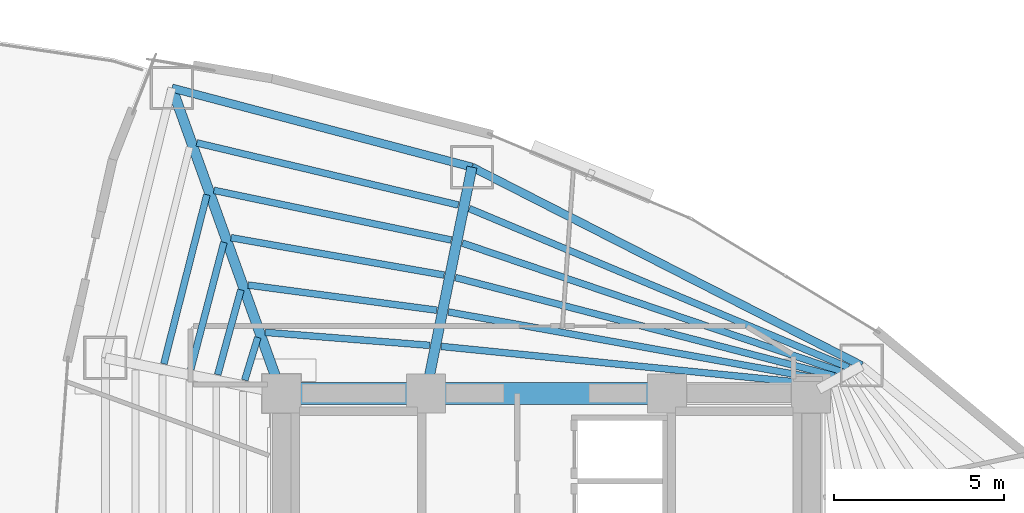
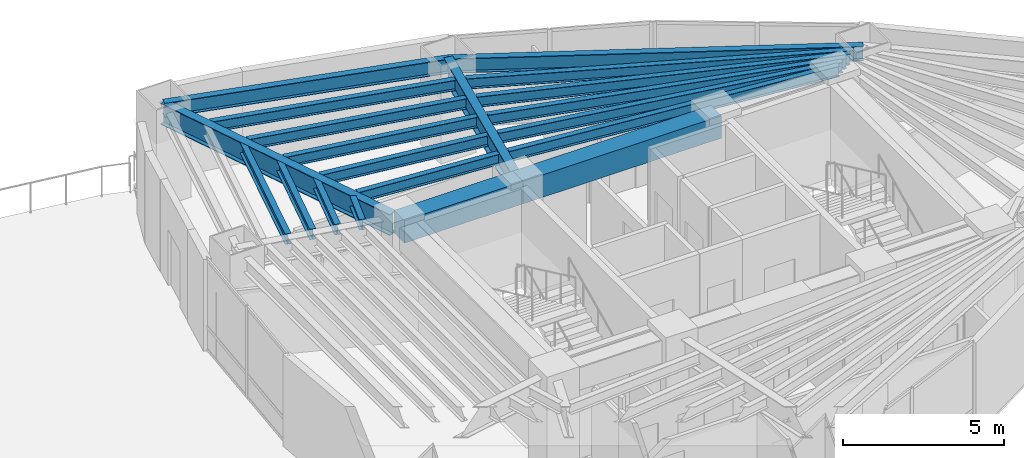
# One storey, part 8 of 19: 20 beams.
"""IFC4 building model written with IfcOpenShell, lengths in metres."""

import ifcopenshell
import ifcopenshell.guid

model = None  # the IFC model being written
_history = None  # IfcOwnerHistory: only IFC2X3 demands one
_inside = {}  # id of a spatial element -> (the spatial element, [elements in it])
_under = {}  # id of a project, library or spatial element -> (it, [spatial elements below it])
_declared = {}  # id of a project -> (the project, [libraries it declares])
_typed = {}  # id of a type object -> (the type object, [elements of that type])
_made_of = {}  # id of a material, layer set ... -> (it, [elements and type objects made of it])


def new_model(schema):
    """Start an empty IFC model of exactly this schema.

    Asked for "IFC4X3", IfcOpenShell would pick the latest addendum, in which some entities
    have other attributes; the version numbers below select the first issue.
    IFC2X3 requires an IfcOwnerHistory on every rooted entity: one is made here for all.
    """
    global model, _history
    if schema == "IFC4X3":
        model = ifcopenshell.file(schema_version=(4, 3, 0, 0))
    else:
        model = ifcopenshell.file(schema=schema)
    _inside.clear()
    _under.clear()
    _declared.clear()
    _typed.clear()
    _made_of.clear()
    _history = None
    if model.schema == "IFC2X3":
        org = make("IfcOrganization", Name="unknown")
        user = make(
            "IfcPersonAndOrganization",
            ThePerson=make("IfcPerson", FamilyName="unknown"),
            TheOrganization=org,
        )
        app = make(
            "IfcApplication",
            ApplicationDeveloper=org,
            Version="unknown",
            ApplicationFullName="unknown",
            ApplicationIdentifier="unknown",
        )
        _history = make(
            "IfcOwnerHistory",
            OwningUser=user,
            OwningApplication=app,
            ChangeAction="ADDED",
            CreationDate=0,
        )
    return model


def make(cls, **values):
    """One entity of the class cls with the attributes given. An attribute that is None is left unset."""
    return model.create_entity(
        cls, **{name: value for name, value in values.items() if value is not None}
    )


def rooted(cls, **values):
    """An entity with a GlobalId (a new one), such as an element, a storey or a relation."""
    return make(cls, GlobalId=ifcopenshell.guid.new(), OwnerHistory=_history, **values)


def si_unit(unit_type, name, prefix=None):
    """IfcSIUnit, for example si_unit("LENGTHUNIT", "METRE", prefix="MILLI")."""
    return make("IfcSIUnit", UnitType=unit_type, Prefix=prefix, Name=name)


def assignment(units):
    """IfcUnitAssignment: the units of a project."""
    return None if units is None else make("IfcUnitAssignment", Units=units)


def point(xyz):
    """IfcCartesianPoint."""
    return None if xyz is None else make("IfcCartesianPoint", Coordinates=xyz)


def direction(xyz):
    """IfcDirection."""
    return None if xyz is None else make("IfcDirection", DirectionRatios=xyz)


def frame(location, z_axis=None, x_axis=None):
    """IfcAxis2Placement3D, a coordinate frame: its origin and axes. An axis left out is left unset."""
    return make(
        "IfcAxis2Placement3D",
        Location=point(location),
        Axis=direction(z_axis),
        RefDirection=direction(x_axis),
    )


def frame_2d(location, x_axis=None):
    """IfcAxis2Placement2D, a coordinate frame in the plane: its origin and x axis."""
    return make(
        "IfcAxis2Placement2D", Location=point(location), RefDirection=direction(x_axis)
    )


def origin():
    """The frame at (0, 0, 0) with its axes left unset."""
    return frame((0.0, 0.0, 0.0))


def origin_2d():
    """The frame at (0, 0) in the plane with its x axis left unset."""
    return frame_2d((0.0, 0.0))


def place(relative_to, where):
    """IfcLocalPlacement: puts the frame where relative to a parent placement (None: the world)."""
    return make(
        "IfcLocalPlacement", PlacementRelTo=relative_to, RelativePlacement=where
    )


def context(
    kind, dimensions, precision=None, world=None, true_north=None, identifier=None
):
    """IfcGeometricRepresentationContext, for example the 3D "Model" context."""
    return make(
        "IfcGeometricRepresentationContext",
        ContextIdentifier=identifier,
        ContextType=kind,
        CoordinateSpaceDimension=dimensions,
        Precision=precision,
        WorldCoordinateSystem=world,
        TrueNorth=true_north,
    )


def subcontext(parent, identifier, kind, view, scale=None):
    """IfcGeometricRepresentationSubContext, for example "Body" below "Model"."""
    return make(
        "IfcGeometricRepresentationSubContext",
        ContextIdentifier=identifier,
        ContextType=kind,
        ParentContext=parent,
        TargetScale=scale,
        TargetView=view,
    )


def project(units=None, contexts=None):
    """IfcProject with its units and contexts."""
    return rooted(
        "IfcProject",
        Name="project",
        RepresentationContexts=contexts,
        UnitsInContext=assignment(units),
    )


def spatial(cls, under=None, at=None, **own):
    """A site, building, storey or space (cls), placed at a placement, below another one or the project."""
    s = rooted(cls, ObjectPlacement=at, **own)
    if under is not None:
        _under.setdefault(under.id(), (under, []))[1].append(s)
    return s


def profile(cls, at=None, kind="AREA", **sizes):
    """A parametric profile (cls). Its sizes go by their IFC names, for example OverallWidth=200.0."""
    return make(cls, ProfileType=kind, Position=at, **sizes)


def rectangle(**sizes):
    """IfcRectangleProfileDef."""
    return profile("IfcRectangleProfileDef", **sizes)


def i_section(**sizes):
    """IfcIShapeProfileDef."""
    return profile("IfcIShapeProfileDef", **sizes)


def extrude(swept, where, along, depth):
    """IfcExtrudedAreaSolid: the profile swept, set in the frame where, extruded along a direction by depth."""
    return make(
        "IfcExtrudedAreaSolid",
        SweptArea=swept,
        Position=where,
        ExtrudedDirection=direction(along),
        Depth=depth,
    )


def shape(context_of_items, identifier, shape_type, items):
    """IfcShapeRepresentation: the items that make up one representation, for example the "Body"."""
    return make(
        "IfcShapeRepresentation",
        ContextOfItems=context_of_items,
        RepresentationIdentifier=identifier,
        RepresentationType=shape_type,
        Items=items,
    )


def material(Name=None, Category=None):
    """IfcMaterial."""
    return make("IfcMaterial", Name=Name, Category=Category)


def material_profile(
    of_material, cross_section, Name=None, Category=None, Priority=None
):
    """IfcMaterialProfile: a cross section and its material."""
    return make(
        "IfcMaterialProfile",
        Name=Name,
        Material=of_material,
        Profile=cross_section,
        Priority=Priority,
        Category=Category,
    )


def profile_set(profiles, Name=None, composite=None):
    """IfcMaterialProfileSet."""
    return make(
        "IfcMaterialProfileSet",
        Name=Name,
        MaterialProfiles=profiles,
        CompositeProfile=composite,
    )


def made_of(thing, what):
    """Note that an element or type object is made of a material, layer set ...; save() writes the relation."""
    if what is not None:
        _made_of.setdefault(what.id(), (what, []))[1].append(thing)
    return thing


def type_object(cls, material=None, **own):
    """A type object (cls), such as IfcWallType, which elements share."""
    return made_of(rooted(cls, **own), material)


def element(
    cls,
    number,
    at=None,
    inside=None,
    cuts=None,
    type_object=None,
    material=None,
    context=None,
    identifier="Body",
    shape_type=None,
    held_by="IfcProductDefinitionShape",
    body=None,
    shapes=None,
    **own,
):
    """One element of the class cls, such as IfcWall. Its Tag is "e" and its number.

    at: its placement. inside: the storey or other place that contains it. cuts: it is an
    opening in that element (IfcRelVoidsElement). A single representation is given by context,
    identifier, shape_type and body (its items); several are given by shapes. held_by: the class
    of the entity that holds the representations. save() writes the other relations.
    """
    e = rooted(cls, Tag="e%d" % number, ObjectPlacement=at, **own)
    if body is not None:
        shapes = [shape(context, identifier, shape_type, body)]
    if shapes is not None:
        e.Representation = make(held_by, Representations=shapes)
    if inside is not None:
        _inside.setdefault(inside.id(), (inside, []))[1].append(e)
    if cuts is not None:
        rooted(
            "IfcRelVoidsElement", RelatingBuildingElement=cuts, RelatedOpeningElement=e
        )
    if type_object is not None:
        _typed.setdefault(type_object.id(), (type_object, []))[1].append(e)
    return made_of(e, material)


def aggregate(whole, parts):
    """IfcRelAggregates: a whole, such as a stair, and the parts it consists of."""
    return rooted("IfcRelAggregates", RelatingObject=whole, RelatedObjects=parts)


def save(model, path):
    """Write the relations noted so far, then the file.

    IfcRelAggregates (storeys below a building ...), IfcRelContainedInSpatialStructure (elements
    in a storey), IfcRelDefinesByType, IfcRelAssociatesMaterial and IfcRelDeclares: one each for
    every whole, place, type object, material and project.
    """
    for whole, parts in _under.values():
        aggregate(whole, parts)
    for where, things in _inside.values():
        rooted(
            "IfcRelContainedInSpatialStructure",
            RelatedElements=things,
            RelatingStructure=where,
        )
    for kind, things in _typed.values():
        rooted("IfcRelDefinesByType", RelatedObjects=things, RelatingType=kind)
    for what, things in _made_of.values():
        rooted("IfcRelAssociatesMaterial", RelatedObjects=things, RelatingMaterial=what)
    for by, libraries in _declared.values():
        rooted("IfcRelDeclares", RelatingContext=by, RelatedDefinitions=libraries)
    model.write(path)


model = new_model("IFC4")

# Units and contexts
model_context = context("Model", 3, precision=1e-05, world=origin(), true_north=direction((0.0, 1.0)))
body_context = subcontext(model_context, "Body", "Model", "MODEL_VIEW")
ifc_project = project(units=[si_unit("LENGTHUNIT", "METRE"), si_unit("AREAUNIT", "SQUARE_METRE"), si_unit("VOLUMEUNIT", "CUBIC_METRE"), si_unit("PLANEANGLEUNIT", "RADIAN"), si_unit("MASSUNIT", "GRAM", prefix="KILO")], contexts=[model_context])

# Site, building, storey
site_placement = place(None, origin())
site = spatial("IfcSite", under=ifc_project, at=site_placement, CompositionType="ELEMENT")
building_placement = place(site_placement, origin())
building = spatial("IfcBuilding", under=site, at=building_placement, Name="Menara Vayukalpa", CompositionType="ELEMENT")
storey_placement = place(building_placement, frame((0.0, 0.0, 118.860107421875)))
storey = spatial("IfcBuildingStorey", under=building, at=storey_placement, Name="L29", CompositionType="ELEMENT", Elevation=118.860107421875)

# Beams
ifc_material_1 = material(Name="Concrete C60/75", Category="concrete")
ifc_material_profile_1 = material_profile(ifc_material_1, rectangle(XDim=0.64990234375, YDim=0.85009765625, at=origin_2d()), Name="RC 650x850")
ifc_profile_set_1 = profile_set([ifc_material_profile_1], Name="Concrete C60/75")
beam_type_1 = type_object("IfcBeamType", Name="BM-CB1", PredefinedType="BEAM", material=ifc_profile_set_1)
beam_1_placement = place(storey_placement, frame((17.800048828125, 26.800048828125, 3.044921875), z_axis=(1.0, 0.0, 0.0), x_axis=(0.0, 1.0, 0.0)))
element("IfcBeam", 1, at=beam_1_placement, inside=storey, type_object=beam_type_1, Name="L29 Core Tie Beam CBR4", PredefinedType="BEAM", context=body_context, shape_type="SweptSolid", body=[
    extrude(rectangle(XDim=0.64990234375, YDim=0.85009765625, at=origin_2d()), origin(), (0.0, 0.0, 1.0), 4.25),
])
beam_2_placement = place(storey_placement, frame((22.050048828125, 26.800048828125, 3.044921875), z_axis=(1.0, 0.0, 0.0), x_axis=(0.0, 1.0, 0.0)))
element("IfcBeam", 2, at=beam_2_placement, inside=storey, type_object=beam_type_1, Name="L29 Core Tie Beam CBR5", PredefinedType="BEAM", context=body_context, shape_type="SweptSolid", body=[
    extrude(rectangle(XDim=0.64990234375, YDim=0.85009765625, at=origin_2d()), origin(), (0.0, 0.0, 1.0), 7.099853515625),
])
ifc_material_2 = material(Name="Steel S355", Category="steel")
ifc_material_profile_2 = material_profile(ifc_material_2, i_section(OverallWidth=0.300048828125, OverallDepth=0.800048828125, WebThickness=0.013916015625, FlangeThickness=0.02587890625, at=origin_2d()), Name="WF 800x300x14x26")
ifc_profile_set_2 = profile_set([ifc_material_profile_2], Name="Steel S355")
beam_type_2 = type_object("IfcBeamType", Name="BM-PG3", PredefinedType="BEAM", material=ifc_profile_set_2)
beam_3_placement = place(storey_placement, frame((22.099853515625, 27.044921875, 3.06982421875), z_axis=(0.199617728418, 0.9798738503, 0.0), x_axis=(-0.9798738503, 0.199617728418, 0.0)))
element("IfcBeam", 3, at=beam_3_placement, inside=storey, type_object=beam_type_2, Name="L29 Primary Radial Girder RG03", PredefinedType="BEAM", context=body_context, shape_type="SweptSolid", body=[
    extrude(i_section(OverallWidth=0.300048828125, OverallDepth=0.800048828125, WebThickness=0.013916015625, FlangeThickness=0.02587890625, at=origin_2d()), origin(), (0.0, 0.0, 1.0), 6.55419921875),
])
beam_4_placement = place(storey_placement, frame((17.715576171875, 27.035400390625, 3.06982421875), z_axis=(-0.337975542909, 0.941154892882, 0.0), x_axis=(-0.941154892882, -0.337975542909, 0.0)))
element("IfcBeam", 4, at=beam_4_placement, inside=storey, type_object=beam_type_2, Name="L29 Primary Radial Girder RG04", PredefinedType="BEAM", context=body_context, shape_type="SweptSolid", body=[
    extrude(i_section(OverallWidth=0.300048828125, OverallDepth=0.800048828125, WebThickness=0.013916015625, FlangeThickness=0.02587890625, at=origin_2d()), origin(), (0.0, 0.0, 1.0), 9.309814453125),
])
ifc_material_3 = material(Name="Steel S355", Category="steel")
ifc_material_profile_3 = material_profile(ifc_material_3, i_section(OverallWidth=0.199951171875, OverallDepth=0.39990234375, WebThickness=0.008056640625, FlangeThickness=0.012939453125, at=origin_2d()), Name="WF 400x200x8x13")
ifc_profile_set_3 = profile_set([ifc_material_profile_3], Name="Steel S355")
beam_type_3 = type_object("IfcBeamType", Name="BM-SJ2", PredefinedType="JOIST", material=ifc_profile_set_3)
beam_5_placement = place(storey_placement, frame((33.677978515625, 27.06396484375, 3.269775390625), z_axis=(-0.995012836574, 0.099746955103, 0.0), x_axis=(-0.099746955103, -0.995012836574, 0.0)))
element("IfcBeam", 5, at=beam_5_placement, inside=storey, type_object=beam_type_3, Name="L29 Secondary Floor Joist SJ02-1", PredefinedType="JOIST", context=body_context, shape_type="SweptSolid", body=[
    extrude(i_section(OverallWidth=0.199951171875, OverallDepth=0.39990234375, WebThickness=0.008056640625, FlangeThickness=0.012939453125, at=origin_2d()), origin(), (0.0, 0.0, 1.0), 11.2294921875),
])
beam_6_placement = place(storey_placement, frame((33.882568359375, 27.189208984375, 3.269775390625), z_axis=(-0.984205443357, 0.177030068819, 0.0), x_axis=(-0.177030068819, -0.984205443357, 0.0)))
element("IfcBeam", 6, at=beam_6_placement, inside=storey, type_object=beam_type_3, Name="L29 Secondary Floor Joist SJ02-2", PredefinedType="JOIST", context=body_context, shape_type="SweptSolid", body=[
    extrude(i_section(OverallWidth=0.199951171875, OverallDepth=0.39990234375, WebThickness=0.008056640625, FlangeThickness=0.012939453125, at=origin_2d()), origin(), (0.0, 0.0, 1.0), 11.349853515625),
])
beam_7_placement = place(storey_placement, frame((34.08837890625, 27.31396484375, 3.269775390625), z_axis=(-0.967921665574, 0.251252162802, 0.0), x_axis=(-0.251252162802, -0.967921665574, 0.0)))
element("IfcBeam", 7, at=beam_7_placement, inside=storey, type_object=beam_type_3, Name="L29 Secondary Floor Joist SJ02-3", PredefinedType="JOIST", context=body_context, shape_type="SweptSolid", body=[
    extrude(i_section(OverallWidth=0.199951171875, OverallDepth=0.39990234375, WebThickness=0.008056640625, FlangeThickness=0.012939453125, at=origin_2d()), origin(), (0.0, 0.0, 1.0), 11.539794921875),
])
beam_8_placement = place(storey_placement, frame((34.294677734375, 27.43798828125, 3.269775390625), z_axis=(-0.94694934653, 0.321382848183, 0.0), x_axis=(-0.321382848183, -0.94694934653, 0.0)))
element("IfcBeam", 8, at=beam_8_placement, inside=storey, type_object=beam_type_3, Name="L29 Secondary Floor Joist SJ02-4", PredefinedType="JOIST", context=body_context, shape_type="SweptSolid", body=[
    extrude(i_section(OverallWidth=0.199951171875, OverallDepth=0.39990234375, WebThickness=0.008056640625, FlangeThickness=0.012939453125, at=origin_2d()), origin(), (0.0, 0.0, 1.0), 11.7958984375),
])
beam_9_placement = place(storey_placement, frame((34.501708984375, 27.561279296875, 3.269775390625), z_axis=(-0.922216637658, 0.386673600375, 0.0), x_axis=(-0.386673600375, -0.922216637658, 0.0)))
element("IfcBeam", 9, at=beam_9_placement, inside=storey, type_object=beam_type_3, Name="L29 Secondary Floor Joist SJ02-5", PredefinedType="JOIST", context=body_context, shape_type="SweptSolid", body=[
    extrude(i_section(OverallWidth=0.199951171875, OverallDepth=0.39990234375, WebThickness=0.008056640625, FlangeThickness=0.012939453125, at=origin_2d()), origin(), (0.0, 0.0, 1.0), 12.114501953125),
])
beam_10_placement = place(storey_placement, frame((22.166015625, 28.214599609375, 3.269775390625), z_axis=(-0.996868534468, 0.079076703187, 0.0), x_axis=(-0.079076703187, -0.996868534468, 0.0)))
element("IfcBeam", 10, at=beam_10_placement, inside=storey, type_object=beam_type_3, Name="L29 Secondary Floor Joist SJ03-1", PredefinedType="JOIST", context=body_context, shape_type="SweptSolid", body=[
    extrude(i_section(OverallWidth=0.199951171875, OverallDepth=0.39990234375, WebThickness=0.008056640625, FlangeThickness=0.012939453125, at=origin_2d()), origin(), (0.0, 0.0, 1.0), 4.862548828125),
])
beam_11_placement = place(storey_placement, frame((22.376220703125, 29.251220703125, 3.269775390625), z_axis=(-0.991248408809, 0.132009817941, 0.0), x_axis=(-0.132009817941, -0.991248408809, 0.0)))
element("IfcBeam", 11, at=beam_11_placement, inside=storey, type_object=beam_type_3, Name="L29 Secondary Floor Joist SJ03-2", PredefinedType="JOIST", context=body_context, shape_type="SweptSolid", body=[
    extrude(i_section(OverallWidth=0.199951171875, OverallDepth=0.39990234375, WebThickness=0.008056640625, FlangeThickness=0.012939453125, at=origin_2d()), origin(), (0.0, 0.0, 1.0), 5.611083984375),
])
beam_12_placement = place(storey_placement, frame((22.586669921875, 30.28564453125, 3.269775390625), z_axis=(-0.984953935883, 0.172817083033, 0.0), x_axis=(-0.172817083033, -0.984953935883, 0.0)))
element("IfcBeam", 12, at=beam_12_placement, inside=storey, type_object=beam_type_3, Name="L29 Secondary Floor Joist SJ03-3", PredefinedType="JOIST", context=body_context, shape_type="SweptSolid", body=[
    extrude(i_section(OverallWidth=0.199951171875, OverallDepth=0.39990234375, WebThickness=0.008056640625, FlangeThickness=0.012939453125, at=origin_2d()), origin(), (0.0, 0.0, 1.0), 6.372802734375),
])
beam_13_placement = place(storey_placement, frame((22.797119140625, 31.318603515625, 3.269775390625), z_axis=(-0.978749487369, 0.205059603471, 0.0), x_axis=(-0.205059603471, -0.978749487369, 0.0)))
element("IfcBeam", 13, at=beam_13_placement, inside=storey, type_object=beam_type_3, Name="L29 Secondary Floor Joist SJ03-4", PredefinedType="JOIST", context=body_context, shape_type="SweptSolid", body=[
    extrude(i_section(OverallWidth=0.199951171875, OverallDepth=0.39990234375, WebThickness=0.008056640625, FlangeThickness=0.012939453125, at=origin_2d()), origin(), (0.0, 0.0, 1.0), 7.1435546875),
])
beam_14_placement = place(storey_placement, frame((23.00732421875, 32.3505859375, 3.269775390625), z_axis=(-0.97293603101, 0.231074619036, 0.0), x_axis=(-0.231074619036, -0.97293603101, 0.0)))
element("IfcBeam", 14, at=beam_14_placement, inside=storey, type_object=beam_type_3, Name="L29 Secondary Floor Joist SJ03-5", PredefinedType="JOIST", context=body_context, shape_type="SweptSolid", body=[
    extrude(i_section(OverallWidth=0.199951171875, OverallDepth=0.39990234375, WebThickness=0.008056640625, FlangeThickness=0.012939453125, at=origin_2d()), origin(), (0.0, 0.0, 1.0), 7.9208984375),
])
beam_15_placement = place(storey_placement, frame((17.099365234375, 28.449951171875, 3.269775390625), z_axis=(-0.292651981473, -0.956219021846, 0.0), x_axis=(0.956219021846, -0.292651981473, 0.0)))
element("IfcBeam", 15, at=beam_15_placement, inside=storey, type_object=beam_type_3, Name="L29 Secondary Floor Joist SJ04-1", PredefinedType="JOIST", context=body_context, shape_type="SweptSolid", body=[
    extrude(i_section(OverallWidth=0.199951171875, OverallDepth=0.39990234375, WebThickness=0.008056640625, FlangeThickness=0.012939453125, at=origin_2d()), origin(), (0.0, 0.0, 1.0), 1.31640625),
])
beam_16_placement = place(storey_placement, frame((16.600830078125, 29.850341796875, 3.269775390625), z_axis=(-0.263922858843, -0.964543790908, 0.0), x_axis=(0.964543790908, -0.263922858843, 0.0)))
element("IfcBeam", 16, at=beam_16_placement, inside=storey, type_object=beam_type_3, Name="L29 Secondary Floor Joist SJ04-2", PredefinedType="JOIST", context=body_context, shape_type="SweptSolid", body=[
    extrude(i_section(OverallWidth=0.199951171875, OverallDepth=0.39990234375, WebThickness=0.008056640625, FlangeThickness=0.012939453125, at=origin_2d()), origin(), (0.0, 0.0, 1.0), 2.590087890625),
])
beam_17_placement = place(storey_placement, frame((16.099365234375, 31.251953125, 3.269775390625), z_axis=(-0.252406469257, -0.967621296933, 0.0), x_axis=(0.967621296933, -0.252406469257, 0.0)))
element("IfcBeam", 17, at=beam_17_placement, inside=storey, type_object=beam_type_3, Name="L29 Secondary Floor Joist SJ04-3", PredefinedType="JOIST", context=body_context, shape_type="SweptSolid", body=[
    extrude(i_section(OverallWidth=0.199951171875, OverallDepth=0.39990234375, WebThickness=0.008056640625, FlangeThickness=0.012939453125, at=origin_2d()), origin(), (0.0, 0.0, 1.0), 3.865234375),
])
beam_18_placement = place(storey_placement, frame((15.596923828125, 32.653564453125, 3.269775390625), z_axis=(-0.246311066692, -0.969190826631, 0.0), x_axis=(0.969190826631, -0.246311066692, 0.0)))
element("IfcBeam", 18, at=beam_18_placement, inside=storey, type_object=beam_type_3, Name="L29 Secondary Floor Joist SJ04-4", PredefinedType="JOIST", context=body_context, shape_type="SweptSolid", body=[
    extrude(i_section(OverallWidth=0.199951171875, OverallDepth=0.39990234375, WebThickness=0.008056640625, FlangeThickness=0.012939453125, at=origin_2d()), origin(), (0.0, 0.0, 1.0), 5.140380859375),
])
ifc_material_4 = material(Name="Steel S355", Category="steel")
ifc_material_profile_4 = material_profile(ifc_material_4, i_section(OverallWidth=0.239990234375, OverallDepth=0.550048828125, WebThickness=0.010986328125, FlangeThickness=0.01904296875, at=origin_2d()), Name="WF 550x240x11x19")
ifc_profile_set_4 = profile_set([ifc_material_profile_4], Name="Steel S355")
beam_type_4 = type_object("IfcBeamType", Name="BM-SP2", PredefinedType="SPANDREL", material=ifc_profile_set_4)
beam_19_placement = place(storey_placement, frame((34.88671875, 27.62158203125, 3.19482421875), z_axis=(-0.891097345221, 0.453812209333, 0.0), x_axis=(-0.453812209333, -0.891097345221, 0.0)))
element("IfcBeam", 19, at=beam_19_placement, inside=storey, type_object=beam_type_4, Name="L29 Perimeter Spandrel Beam SP02", PredefinedType="SPANDREL", context=body_context, shape_type="SweptSolid", body=[
    extrude(i_section(OverallWidth=0.239990234375, OverallDepth=0.550048828125, WebThickness=0.010986328125, FlangeThickness=0.01904296875, at=origin_2d()), origin(), (0.0, 0.0, 1.0), 12.88134765625),
])
beam_20_placement = place(storey_placement, frame((23.408203125, 33.46728515625, 3.19482421875), z_axis=(-0.966966857313, 0.254902131921, 0.0), x_axis=(-0.254902131921, -0.966966857313, 0.0)))
element("IfcBeam", 20, at=beam_20_placement, inside=storey, type_object=beam_type_4, Name="L29 Perimeter Spandrel Beam SP03", PredefinedType="SPANDREL", context=body_context, shape_type="SweptSolid", body=[
    extrude(i_section(OverallWidth=0.239990234375, OverallDepth=0.550048828125, WebThickness=0.010986328125, FlangeThickness=0.01904296875, at=origin_2d()), origin(), (0.0, 0.0, 1.0), 9.14111328125),
])

save(model, "model.ifc")
